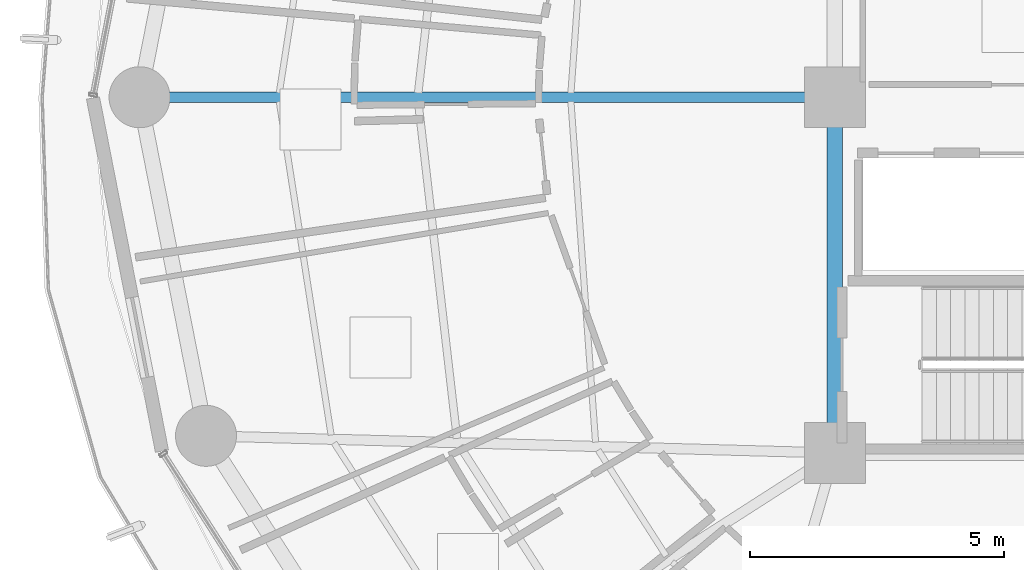
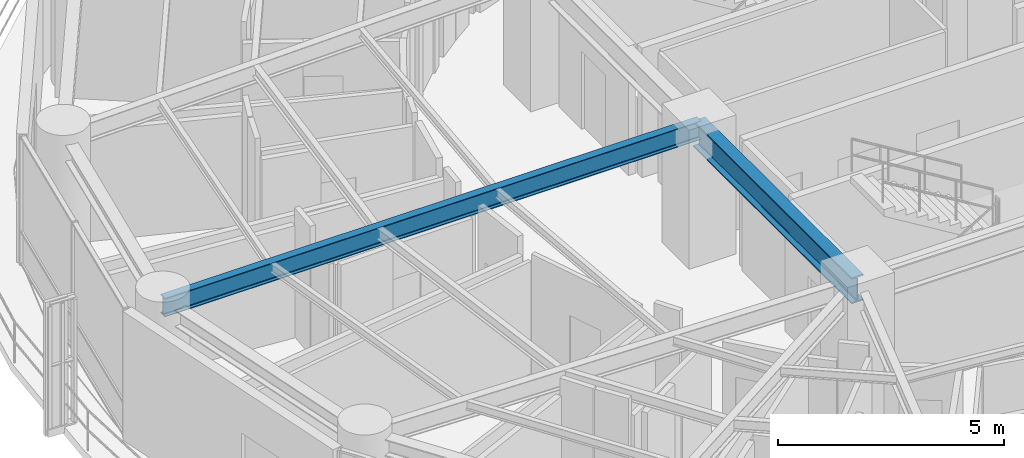
# One storey, part 7 of 27: 2 beams.
"""IFC4 building model written with IfcOpenShell, lengths in metres."""

import ifcopenshell
import ifcopenshell.guid

model = None  # the IFC model being written
_history = None  # IfcOwnerHistory: only IFC2X3 demands one
_inside = {}  # id of a spatial element -> (the spatial element, [elements in it])
_under = {}  # id of a project, library or spatial element -> (it, [spatial elements below it])
_declared = {}  # id of a project -> (the project, [libraries it declares])
_typed = {}  # id of a type object -> (the type object, [elements of that type])
_made_of = {}  # id of a material, layer set ... -> (it, [elements and type objects made of it])


def new_model(schema):
    """Start an empty IFC model of exactly this schema.

    Asked for "IFC4X3", IfcOpenShell would pick the latest addendum, in which some entities
    have other attributes; the version numbers below select the first issue.
    IFC2X3 requires an IfcOwnerHistory on every rooted entity: one is made here for all.
    """
    global model, _history
    if schema == "IFC4X3":
        model = ifcopenshell.file(schema_version=(4, 3, 0, 0))
    else:
        model = ifcopenshell.file(schema=schema)
    _inside.clear()
    _under.clear()
    _declared.clear()
    _typed.clear()
    _made_of.clear()
    _history = None
    if model.schema == "IFC2X3":
        org = make("IfcOrganization", Name="unknown")
        user = make(
            "IfcPersonAndOrganization",
            ThePerson=make("IfcPerson", FamilyName="unknown"),
            TheOrganization=org,
        )
        app = make(
            "IfcApplication",
            ApplicationDeveloper=org,
            Version="unknown",
            ApplicationFullName="unknown",
            ApplicationIdentifier="unknown",
        )
        _history = make(
            "IfcOwnerHistory",
            OwningUser=user,
            OwningApplication=app,
            ChangeAction="ADDED",
            CreationDate=0,
        )
    return model


def make(cls, **values):
    """One entity of the class cls with the attributes given. An attribute that is None is left unset."""
    return model.create_entity(
        cls, **{name: value for name, value in values.items() if value is not None}
    )


def rooted(cls, **values):
    """An entity with a GlobalId (a new one), such as an element, a storey or a relation."""
    return make(cls, GlobalId=ifcopenshell.guid.new(), OwnerHistory=_history, **values)


def si_unit(unit_type, name, prefix=None):
    """IfcSIUnit, for example si_unit("LENGTHUNIT", "METRE", prefix="MILLI")."""
    return make("IfcSIUnit", UnitType=unit_type, Prefix=prefix, Name=name)


def assignment(units):
    """IfcUnitAssignment: the units of a project."""
    return None if units is None else make("IfcUnitAssignment", Units=units)


def point(xyz):
    """IfcCartesianPoint."""
    return None if xyz is None else make("IfcCartesianPoint", Coordinates=xyz)


def direction(xyz):
    """IfcDirection."""
    return None if xyz is None else make("IfcDirection", DirectionRatios=xyz)


def frame(location, z_axis=None, x_axis=None):
    """IfcAxis2Placement3D, a coordinate frame: its origin and axes. An axis left out is left unset."""
    return make(
        "IfcAxis2Placement3D",
        Location=point(location),
        Axis=direction(z_axis),
        RefDirection=direction(x_axis),
    )


def frame_2d(location, x_axis=None):
    """IfcAxis2Placement2D, a coordinate frame in the plane: its origin and x axis."""
    return make(
        "IfcAxis2Placement2D", Location=point(location), RefDirection=direction(x_axis)
    )


def origin():
    """The frame at (0, 0, 0) with its axes left unset."""
    return frame((0.0, 0.0, 0.0))


def origin_2d():
    """The frame at (0, 0) in the plane with its x axis left unset."""
    return frame_2d((0.0, 0.0))


def place(relative_to, where):
    """IfcLocalPlacement: puts the frame where relative to a parent placement (None: the world)."""
    return make(
        "IfcLocalPlacement", PlacementRelTo=relative_to, RelativePlacement=where
    )


def context(
    kind, dimensions, precision=None, world=None, true_north=None, identifier=None
):
    """IfcGeometricRepresentationContext, for example the 3D "Model" context."""
    return make(
        "IfcGeometricRepresentationContext",
        ContextIdentifier=identifier,
        ContextType=kind,
        CoordinateSpaceDimension=dimensions,
        Precision=precision,
        WorldCoordinateSystem=world,
        TrueNorth=true_north,
    )


def subcontext(parent, identifier, kind, view, scale=None):
    """IfcGeometricRepresentationSubContext, for example "Body" below "Model"."""
    return make(
        "IfcGeometricRepresentationSubContext",
        ContextIdentifier=identifier,
        ContextType=kind,
        ParentContext=parent,
        TargetScale=scale,
        TargetView=view,
    )


def project(units=None, contexts=None):
    """IfcProject with its units and contexts."""
    return rooted(
        "IfcProject",
        Name="project",
        RepresentationContexts=contexts,
        UnitsInContext=assignment(units),
    )


def spatial(cls, under=None, at=None, **own):
    """A site, building, storey or space (cls), placed at a placement, below another one or the project."""
    s = rooted(cls, ObjectPlacement=at, **own)
    if under is not None:
        _under.setdefault(under.id(), (under, []))[1].append(s)
    return s


def profile(cls, at=None, kind="AREA", **sizes):
    """A parametric profile (cls). Its sizes go by their IFC names, for example OverallWidth=200.0."""
    return make(cls, ProfileType=kind, Position=at, **sizes)


def i_section(**sizes):
    """IfcIShapeProfileDef."""
    return profile("IfcIShapeProfileDef", **sizes)


def extrude(swept, where, along, depth):
    """IfcExtrudedAreaSolid: the profile swept, set in the frame where, extruded along a direction by depth."""
    return make(
        "IfcExtrudedAreaSolid",
        SweptArea=swept,
        Position=where,
        ExtrudedDirection=direction(along),
        Depth=depth,
    )


def shape(context_of_items, identifier, shape_type, items):
    """IfcShapeRepresentation: the items that make up one representation, for example the "Body"."""
    return make(
        "IfcShapeRepresentation",
        ContextOfItems=context_of_items,
        RepresentationIdentifier=identifier,
        RepresentationType=shape_type,
        Items=items,
    )


def material(Name=None, Category=None):
    """IfcMaterial."""
    return make("IfcMaterial", Name=Name, Category=Category)


def material_profile(
    of_material, cross_section, Name=None, Category=None, Priority=None
):
    """IfcMaterialProfile: a cross section and its material."""
    return make(
        "IfcMaterialProfile",
        Name=Name,
        Material=of_material,
        Profile=cross_section,
        Priority=Priority,
        Category=Category,
    )


def profile_set(profiles, Name=None, composite=None):
    """IfcMaterialProfileSet."""
    return make(
        "IfcMaterialProfileSet",
        Name=Name,
        MaterialProfiles=profiles,
        CompositeProfile=composite,
    )


def made_of(thing, what):
    """Note that an element or type object is made of a material, layer set ...; save() writes the relation."""
    if what is not None:
        _made_of.setdefault(what.id(), (what, []))[1].append(thing)
    return thing


def type_object(cls, material=None, **own):
    """A type object (cls), such as IfcWallType, which elements share."""
    return made_of(rooted(cls, **own), material)


def element(
    cls,
    number,
    at=None,
    inside=None,
    cuts=None,
    type_object=None,
    material=None,
    context=None,
    identifier="Body",
    shape_type=None,
    held_by="IfcProductDefinitionShape",
    body=None,
    shapes=None,
    **own,
):
    """One element of the class cls, such as IfcWall. Its Tag is "e" and its number.

    at: its placement. inside: the storey or other place that contains it. cuts: it is an
    opening in that element (IfcRelVoidsElement). A single representation is given by context,
    identifier, shape_type and body (its items); several are given by shapes. held_by: the class
    of the entity that holds the representations. save() writes the other relations.
    """
    e = rooted(cls, Tag="e%d" % number, ObjectPlacement=at, **own)
    if body is not None:
        shapes = [shape(context, identifier, shape_type, body)]
    if shapes is not None:
        e.Representation = make(held_by, Representations=shapes)
    if inside is not None:
        _inside.setdefault(inside.id(), (inside, []))[1].append(e)
    if cuts is not None:
        rooted(
            "IfcRelVoidsElement", RelatingBuildingElement=cuts, RelatedOpeningElement=e
        )
    if type_object is not None:
        _typed.setdefault(type_object.id(), (type_object, []))[1].append(e)
    return made_of(e, material)


def aggregate(whole, parts):
    """IfcRelAggregates: a whole, such as a stair, and the parts it consists of."""
    return rooted("IfcRelAggregates", RelatingObject=whole, RelatedObjects=parts)


def save(model, path):
    """Write the relations noted so far, then the file.

    IfcRelAggregates (storeys below a building ...), IfcRelContainedInSpatialStructure (elements
    in a storey), IfcRelDefinesByType, IfcRelAssociatesMaterial and IfcRelDeclares: one each for
    every whole, place, type object, material and project.
    """
    for whole, parts in _under.values():
        aggregate(whole, parts)
    for where, things in _inside.values():
        rooted(
            "IfcRelContainedInSpatialStructure",
            RelatedElements=things,
            RelatingStructure=where,
        )
    for kind, things in _typed.values():
        rooted("IfcRelDefinesByType", RelatedObjects=things, RelatingType=kind)
    for what, things in _made_of.values():
        rooted("IfcRelAssociatesMaterial", RelatedObjects=things, RelatingMaterial=what)
    for by, libraries in _declared.values():
        rooted("IfcRelDeclares", RelatingContext=by, RelatedDefinitions=libraries)
    model.write(path)


model = new_model("IFC4")

# Units and contexts
model_context = context("Model", 3, precision=1e-05, world=origin(), true_north=direction((0.0, 1.0)))
body_context = subcontext(model_context, "Body", "Model", "MODEL_VIEW")
ifc_project = project(units=[si_unit("LENGTHUNIT", "METRE"), si_unit("AREAUNIT", "SQUARE_METRE"), si_unit("VOLUMEUNIT", "CUBIC_METRE"), si_unit("PLANEANGLEUNIT", "RADIAN"), si_unit("MASSUNIT", "GRAM", prefix="KILO")], contexts=[model_context])

# Site, building, storey
site_placement = place(None, origin())
site = spatial("IfcSite", under=ifc_project, at=site_placement, CompositionType="ELEMENT")
building_placement = place(site_placement, origin())
building = spatial("IfcBuilding", under=site, at=building_placement, Name="Kelanora Arch Commons", CompositionType="ELEMENT")
storey_placement = place(building_placement, frame((0.0, 0.0, 173.10009765625)))
storey = spatial("IfcBuildingStorey", under=building, at=storey_placement, Name="L44", CompositionType="ELEMENT", Elevation=173.10009765625)

# Beams
ifc_material = material(Name="Steel S355", Category="steel")
ifc_material_profile_1 = material_profile(ifc_material, i_section(OverallWidth=0.300048828125, OverallDepth=0.699951171875, WebThickness=0.01708984375, FlangeThickness=0.031982421875, FilletRadius=0.027099609375, at=origin_2d()), Name="HEB700")
ifc_profile_set_1 = profile_set([ifc_material_profile_1], Name="Steel S355")
beam_type_1 = type_object("IfcBeamType", Name="BM-CORE-HDR", PredefinedType="BEAM", material=ifc_profile_set_1)
beam_1_placement = place(storey_placement, frame((66.0, 58.0, 3.139892578125), z_axis=(0.0, -1.0, 0.0), x_axis=(1.0, 0.0, 0.0)))
element("IfcBeam", 1, at=beam_1_placement, inside=storey, type_object=beam_type_1, Name="Core Header Beam 09 L44", PredefinedType="BEAM", context=body_context, shape_type="SweptSolid", body=[
    extrude(i_section(OverallWidth=0.300048828125, OverallDepth=0.699951171875, WebThickness=0.01708984375, FlangeThickness=0.031982421875, FilletRadius=0.027099609375, at=origin_2d()), origin(), (0.0, 0.0, 1.0), 7.0),
])
ifc_material_profile_2 = material_profile(ifc_material, i_section(OverallWidth=0.199951171875, OverallDepth=0.5, WebThickness=0.01025390625, FlangeThickness=0.01611328125, FilletRadius=0.02099609375, at=origin_2d()), Name="IPE500")
ifc_profile_set_2 = profile_set([ifc_material_profile_2], Name="Steel S355")
beam_type_2 = type_object("IfcBeamType", Name="BM-RAD-Z3", PredefinedType="BEAM", material=ifc_profile_set_2)
beam_2_placement = place(storey_placement, frame((66.0, 58.0, 3.239990234375), z_axis=(-1.0, 0.0, 0.0), x_axis=(0.0, -1.0, 0.0)))
element("IfcBeam", 2, at=beam_2_placement, inside=storey, type_object=beam_type_2, Name="Radial Floor Girder BR-18 L44", PredefinedType="BEAM", context=body_context, shape_type="SweptSolid", body=[
    extrude(i_section(OverallWidth=0.199951171875, OverallDepth=0.5, WebThickness=0.01025390625, FlangeThickness=0.01611328125, FilletRadius=0.02099609375, at=origin_2d()), origin(), (0.0, 0.0, 1.0), 13.679931640625),
])

save(model, "model.ifc")
